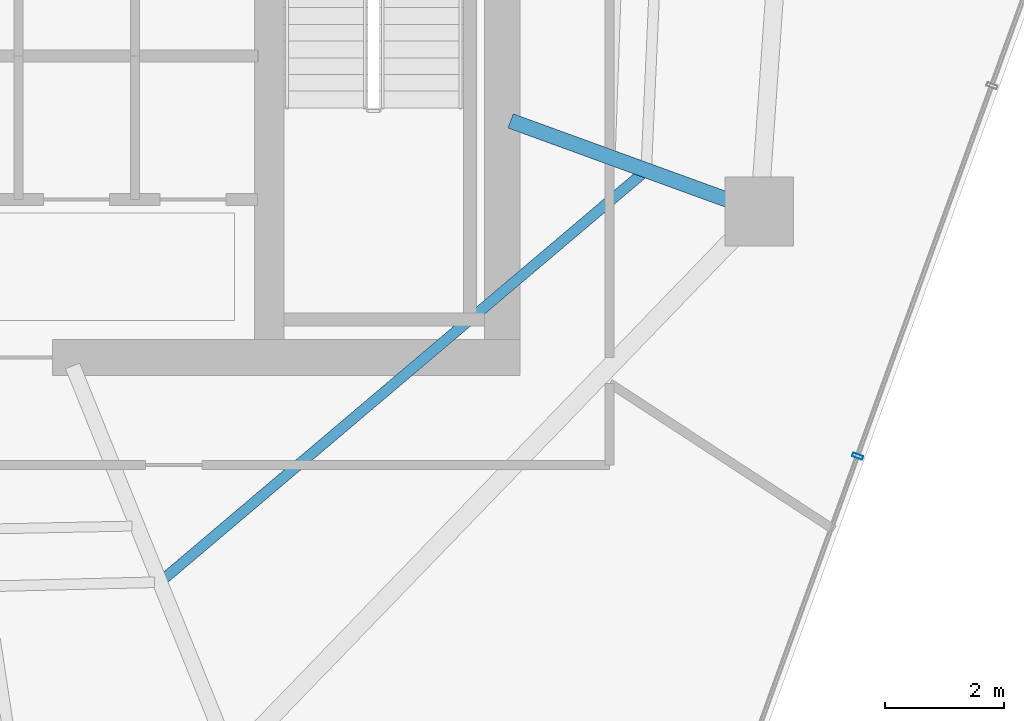
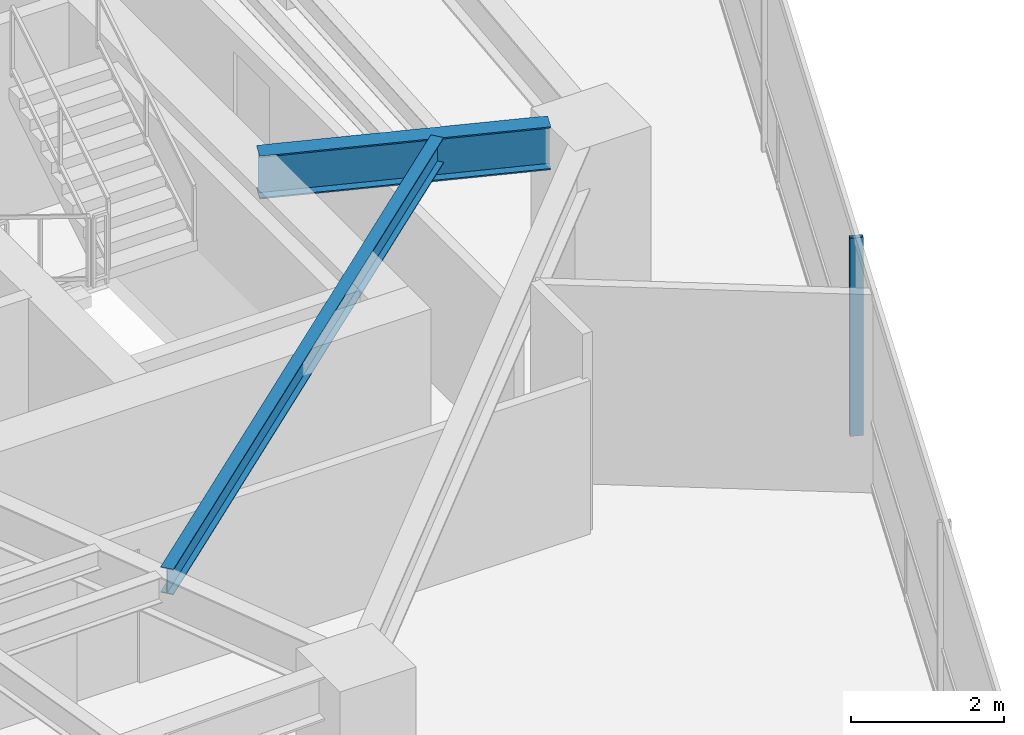
# One storey, part 12 of 27: 2 beams, 1 member, 1 element without a shape of its own.
"""IFC4 building model written with IfcOpenShell, lengths in metres."""

from ifc_helpers import new_model, si_unit, direction, frame, origin, origin_2d, place, context, subcontext, project, spatial, hollow_rectangle, i_section, extrude, material, layer, layer_set, material_profile, profile_set, type_object, element, aggregate, save


model = new_model("IFC4")

# Units and contexts
model_context = context("Model", 3, precision=1e-05, world=origin(), true_north=direction((0.0, 1.0)))
body_context = subcontext(model_context, "Body", "Model", "MODEL_VIEW")
ifc_project = project(units=[si_unit("LENGTHUNIT", "METRE"), si_unit("AREAUNIT", "SQUARE_METRE"), si_unit("VOLUMEUNIT", "CUBIC_METRE"), si_unit("PLANEANGLEUNIT", "RADIAN"), si_unit("MASSUNIT", "GRAM", prefix="KILO")], contexts=[model_context])

# Site, building, storey
site_placement = place(None, origin())
site = spatial("IfcSite", under=ifc_project, at=site_placement, CompositionType="ELEMENT")
building_placement = place(site_placement, origin())
building = spatial("IfcBuilding", under=site, at=building_placement, Name="Qarnah Convention Tower", CompositionType="ELEMENT")
storey_placement = place(building_placement, frame((0.0, 0.0, 103.949951171875)))
storey = spatial("IfcBuildingStorey", under=building, at=storey_placement, Name="L27", CompositionType="ELEMENT", Elevation=103.949951171875)

# Beams
ifc_material_1 = material(Name="Structural steel S355JR", Category="steel")
ifc_material_profile_1 = material_profile(ifc_material_1, i_section(OverallWidth=0.177978515625, OverallDepth=0.407958984375, WebThickness=0.008056640625, FlangeThickness=0.012939453125, at=origin_2d()), Name="W410X60")
ifc_profile_set_1 = profile_set([ifc_material_profile_1], Name="Structural steel S355JR")
beam_type_1 = type_object("IfcBeamType", Name="BM-JST-W410", PredefinedType="JOIST", material=ifc_profile_set_1)
beam_1_placement = place(storey_placement, frame((41.93896484375, 14.89990234375, 2.966064453125), z_axis=(0.763086867081, 0.646295933214, 0.0), x_axis=(-0.646295933214, 0.763086867081, 0.0)))
element("IfcBeam", 1, at=beam_1_placement, inside=storey, type_object=beam_type_1, Name="L27 joist BM-L27-SJST-08", PredefinedType="JOIST", context=body_context, shape_type="SweptSolid", body=[
    extrude(i_section(OverallWidth=0.177978515625, OverallDepth=0.407958984375, WebThickness=0.008056640625, FlangeThickness=0.012939453125, at=origin_2d()), origin(), (0.0, 0.0, 1.0), 10.487548828125),
])
ifc_material_profile_2 = material_profile(ifc_material_1, i_section(OverallWidth=0.25390625, OverallDepth=0.68798828125, WebThickness=0.012939453125, FlangeThickness=0.02099609375, at=origin_2d()), Name="W690X152")
ifc_profile_set_2 = profile_set([ifc_material_profile_2], Name="Structural steel S355JR")
beam_type_2 = type_object("IfcBeamType", Name="BM-RAD-W690", PredefinedType="BEAM", material=ifc_profile_set_2)
beam_2_placement = place(storey_placement, frame((47.740966796875, 22.56298828125, 2.825927734375), z_axis=(0.93969593668, -0.342011032845, 0.0), x_axis=(0.342011032845, 0.93969593668, 0.0)))
element("IfcBeam", 2, at=beam_2_placement, inside=storey, type_object=beam_type_2, Name="L27 beam BM-L27-RAD-09", PredefinedType="BEAM", context=body_context, shape_type="SweptSolid", body=[
    extrude(i_section(OverallWidth=0.25390625, OverallDepth=0.68798828125, WebThickness=0.012939453125, FlangeThickness=0.02099609375, at=origin_2d()), origin(), (0.0, 0.0, 1.0), 3.876953125),
])

# Curtain wall, member
ifc_material_2 = material(Name="Tempered Low-E dark glass", Category="glass")
ifc_layer = layer(ifc_material_2, 0.169921875)
ifc_layer_set = layer_set([ifc_layer], Name="Tempered Low-E dark glass")
curtain_wall_type = type_object("IfcCurtainWallType", Name="CWS-02", PredefinedType="NOTDEFINED", material=ifc_layer_set)
curtain_wall_placement = place(storey_placement, origin())
curtain_wall = element("IfcCurtainWall", 3, at=curtain_wall_placement, inside=storey, type_object=curtain_wall_type, Name="L27 unitised curtain wall CW-L27-F2", PredefinedType="NOTDEFINED")
ifc_material_3 = material(Name="Black anodised aluminium", Category="aluminium")
ifc_material_profile_3 = material_profile(ifc_material_3, hollow_rectangle(XDim=0.06494140625, YDim=0.179931640625, WallThickness=0.00390625, at=origin_2d()), Name="MUL-65X180")
ifc_profile_set_3 = profile_set([ifc_material_profile_3], Name="Black anodised aluminium")
member_type = type_object("IfcMemberType", Name="MUL-T2", PredefinedType="MULLION", material=ifc_profile_set_3)
member_placement = place(storey_placement, frame((53.5517578125, 16.94921875, 0.0), z_axis=(0.0, 0.0, 1.0), x_axis=(-0.340708211397, -0.940169088349, 0.0)))
member = element("IfcMember", 4, at=member_placement, type_object=member_type, Name="CW-L27-F2 mullion 4", PredefinedType="MULLION", context=body_context, shape_type="SweptSolid", body=[
    extrude(hollow_rectangle(XDim=0.06494140625, YDim=0.179931640625, WallThickness=0.00390625, at=origin_2d()), origin(), (0.0, 0.0, 1.0), 3.170166015625),
])
aggregate(curtain_wall, [member])

save(model, "model.ifc")
